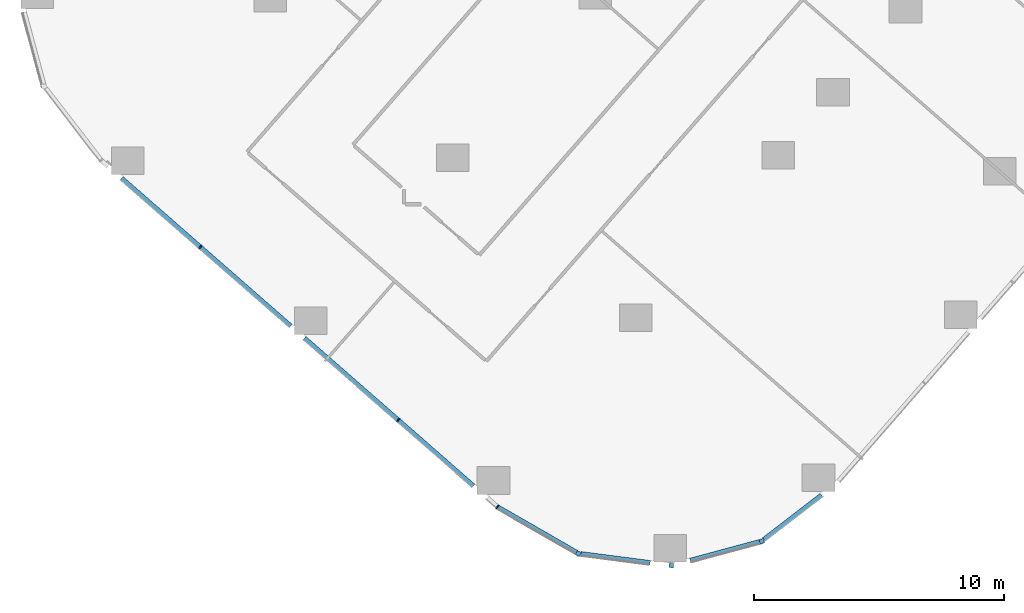
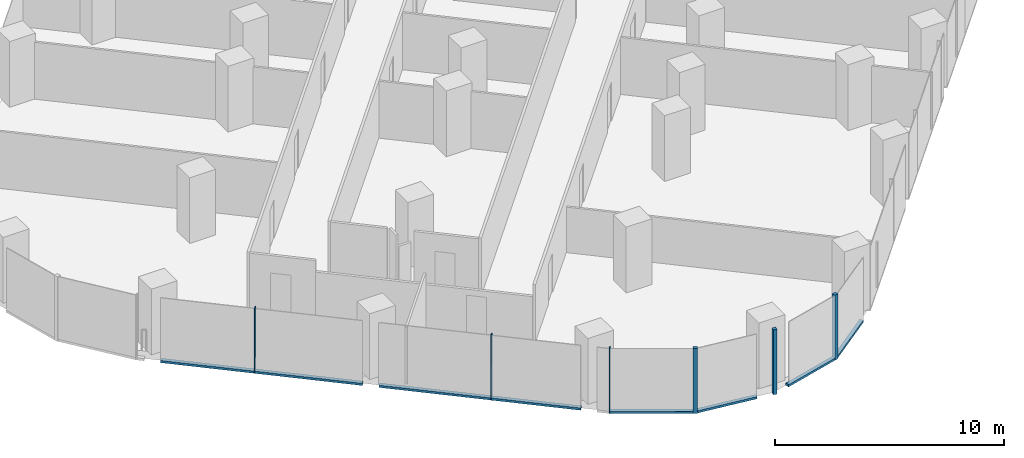
# One storey, part 2 of 38: 12 members, 5 elements without a shape of their own.
"""IFC4 building model written with IfcOpenShell, lengths in metres."""

import ifcopenshell
import ifcopenshell.guid

model = None  # the IFC model being written
_history = None  # IfcOwnerHistory: only IFC2X3 demands one
_inside = {}  # id of a spatial element -> (the spatial element, [elements in it])
_under = {}  # id of a project, library or spatial element -> (it, [spatial elements below it])
_declared = {}  # id of a project -> (the project, [libraries it declares])
_typed = {}  # id of a type object -> (the type object, [elements of that type])
_made_of = {}  # id of a material, layer set ... -> (it, [elements and type objects made of it])


def new_model(schema):
    """Start an empty IFC model of exactly this schema.

    Asked for "IFC4X3", IfcOpenShell would pick the latest addendum, in which some entities
    have other attributes; the version numbers below select the first issue.
    IFC2X3 requires an IfcOwnerHistory on every rooted entity: one is made here for all.
    """
    global model, _history
    if schema == "IFC4X3":
        model = ifcopenshell.file(schema_version=(4, 3, 0, 0))
    else:
        model = ifcopenshell.file(schema=schema)
    _inside.clear()
    _under.clear()
    _declared.clear()
    _typed.clear()
    _made_of.clear()
    _history = None
    if model.schema == "IFC2X3":
        org = make("IfcOrganization", Name="unknown")
        user = make(
            "IfcPersonAndOrganization",
            ThePerson=make("IfcPerson", FamilyName="unknown"),
            TheOrganization=org,
        )
        app = make(
            "IfcApplication",
            ApplicationDeveloper=org,
            Version="unknown",
            ApplicationFullName="unknown",
            ApplicationIdentifier="unknown",
        )
        _history = make(
            "IfcOwnerHistory",
            OwningUser=user,
            OwningApplication=app,
            ChangeAction="ADDED",
            CreationDate=0,
        )
    return model


def make(cls, **values):
    """One entity of the class cls with the attributes given. An attribute that is None is left unset."""
    return model.create_entity(
        cls, **{name: value for name, value in values.items() if value is not None}
    )


def rooted(cls, **values):
    """An entity with a GlobalId (a new one), such as an element, a storey or a relation."""
    return make(cls, GlobalId=ifcopenshell.guid.new(), OwnerHistory=_history, **values)


def si_unit(unit_type, name, prefix=None):
    """IfcSIUnit, for example si_unit("LENGTHUNIT", "METRE", prefix="MILLI")."""
    return make("IfcSIUnit", UnitType=unit_type, Prefix=prefix, Name=name)


def assignment(units):
    """IfcUnitAssignment: the units of a project."""
    return None if units is None else make("IfcUnitAssignment", Units=units)


def point(xyz):
    """IfcCartesianPoint."""
    return None if xyz is None else make("IfcCartesianPoint", Coordinates=xyz)


def direction(xyz):
    """IfcDirection."""
    return None if xyz is None else make("IfcDirection", DirectionRatios=xyz)


def frame(location, z_axis=None, x_axis=None):
    """IfcAxis2Placement3D, a coordinate frame: its origin and axes. An axis left out is left unset."""
    return make(
        "IfcAxis2Placement3D",
        Location=point(location),
        Axis=direction(z_axis),
        RefDirection=direction(x_axis),
    )


def frame_2d(location, x_axis=None):
    """IfcAxis2Placement2D, a coordinate frame in the plane: its origin and x axis."""
    return make(
        "IfcAxis2Placement2D", Location=point(location), RefDirection=direction(x_axis)
    )


def origin():
    """The frame at (0, 0, 0) with its axes left unset."""
    return frame((0.0, 0.0, 0.0))


def origin_2d():
    """The frame at (0, 0) in the plane with its x axis left unset."""
    return frame_2d((0.0, 0.0))


def place(relative_to, where):
    """IfcLocalPlacement: puts the frame where relative to a parent placement (None: the world)."""
    return make(
        "IfcLocalPlacement", PlacementRelTo=relative_to, RelativePlacement=where
    )


def context(
    kind, dimensions, precision=None, world=None, true_north=None, identifier=None
):
    """IfcGeometricRepresentationContext, for example the 3D "Model" context."""
    return make(
        "IfcGeometricRepresentationContext",
        ContextIdentifier=identifier,
        ContextType=kind,
        CoordinateSpaceDimension=dimensions,
        Precision=precision,
        WorldCoordinateSystem=world,
        TrueNorth=true_north,
    )


def subcontext(parent, identifier, kind, view, scale=None):
    """IfcGeometricRepresentationSubContext, for example "Body" below "Model"."""
    return make(
        "IfcGeometricRepresentationSubContext",
        ContextIdentifier=identifier,
        ContextType=kind,
        ParentContext=parent,
        TargetScale=scale,
        TargetView=view,
    )


def project(units=None, contexts=None):
    """IfcProject with its units and contexts."""
    return rooted(
        "IfcProject",
        Name="project",
        RepresentationContexts=contexts,
        UnitsInContext=assignment(units),
    )


def spatial(cls, under=None, at=None, **own):
    """A site, building, storey or space (cls), placed at a placement, below another one or the project."""
    s = rooted(cls, ObjectPlacement=at, **own)
    if under is not None:
        _under.setdefault(under.id(), (under, []))[1].append(s)
    return s


def profile(cls, at=None, kind="AREA", **sizes):
    """A parametric profile (cls). Its sizes go by their IFC names, for example OverallWidth=200.0."""
    return make(cls, ProfileType=kind, Position=at, **sizes)


def rectangle(**sizes):
    """IfcRectangleProfileDef."""
    return profile("IfcRectangleProfileDef", **sizes)


def extrude(swept, where, along, depth):
    """IfcExtrudedAreaSolid: the profile swept, set in the frame where, extruded along a direction by depth."""
    return make(
        "IfcExtrudedAreaSolid",
        SweptArea=swept,
        Position=where,
        ExtrudedDirection=direction(along),
        Depth=depth,
    )


def shape(context_of_items, identifier, shape_type, items):
    """IfcShapeRepresentation: the items that make up one representation, for example the "Body"."""
    return make(
        "IfcShapeRepresentation",
        ContextOfItems=context_of_items,
        RepresentationIdentifier=identifier,
        RepresentationType=shape_type,
        Items=items,
    )


def material(Name=None, Category=None):
    """IfcMaterial."""
    return make("IfcMaterial", Name=Name, Category=Category)


def material_profile(
    of_material, cross_section, Name=None, Category=None, Priority=None
):
    """IfcMaterialProfile: a cross section and its material."""
    return make(
        "IfcMaterialProfile",
        Name=Name,
        Material=of_material,
        Profile=cross_section,
        Priority=Priority,
        Category=Category,
    )


def profile_set(profiles, Name=None, composite=None):
    """IfcMaterialProfileSet."""
    return make(
        "IfcMaterialProfileSet",
        Name=Name,
        MaterialProfiles=profiles,
        CompositeProfile=composite,
    )


def made_of(thing, what):
    """Note that an element or type object is made of a material, layer set ...; save() writes the relation."""
    if what is not None:
        _made_of.setdefault(what.id(), (what, []))[1].append(thing)
    return thing


def type_object(cls, material=None, **own):
    """A type object (cls), such as IfcWallType, which elements share."""
    return made_of(rooted(cls, **own), material)


def element(
    cls,
    number,
    at=None,
    inside=None,
    cuts=None,
    type_object=None,
    material=None,
    context=None,
    identifier="Body",
    shape_type=None,
    held_by="IfcProductDefinitionShape",
    body=None,
    shapes=None,
    **own,
):
    """One element of the class cls, such as IfcWall. Its Tag is "e" and its number.

    at: its placement. inside: the storey or other place that contains it. cuts: it is an
    opening in that element (IfcRelVoidsElement). A single representation is given by context,
    identifier, shape_type and body (its items); several are given by shapes. held_by: the class
    of the entity that holds the representations. save() writes the other relations.
    """
    e = rooted(cls, Tag="e%d" % number, ObjectPlacement=at, **own)
    if body is not None:
        shapes = [shape(context, identifier, shape_type, body)]
    if shapes is not None:
        e.Representation = make(held_by, Representations=shapes)
    if inside is not None:
        _inside.setdefault(inside.id(), (inside, []))[1].append(e)
    if cuts is not None:
        rooted(
            "IfcRelVoidsElement", RelatingBuildingElement=cuts, RelatedOpeningElement=e
        )
    if type_object is not None:
        _typed.setdefault(type_object.id(), (type_object, []))[1].append(e)
    return made_of(e, material)


def aggregate(whole, parts):
    """IfcRelAggregates: a whole, such as a stair, and the parts it consists of."""
    return rooted("IfcRelAggregates", RelatingObject=whole, RelatedObjects=parts)


def save(model, path):
    """Write the relations noted so far, then the file.

    IfcRelAggregates (storeys below a building ...), IfcRelContainedInSpatialStructure (elements
    in a storey), IfcRelDefinesByType, IfcRelAssociatesMaterial and IfcRelDeclares: one each for
    every whole, place, type object, material and project.
    """
    for whole, parts in _under.values():
        aggregate(whole, parts)
    for where, things in _inside.values():
        rooted(
            "IfcRelContainedInSpatialStructure",
            RelatedElements=things,
            RelatingStructure=where,
        )
    for kind, things in _typed.values():
        rooted("IfcRelDefinesByType", RelatedObjects=things, RelatingType=kind)
    for what, things in _made_of.values():
        rooted("IfcRelAssociatesMaterial", RelatedObjects=things, RelatingMaterial=what)
    for by, libraries in _declared.values():
        rooted("IfcRelDeclares", RelatingContext=by, RelatedDefinitions=libraries)
    model.write(path)


model = new_model("IFC4")

# Units and contexts
model_context = context("Model", 3, precision=1e-05, world=origin(), true_north=direction((0.0, 1.0)))
body_context = subcontext(model_context, "Body", "Model", "MODEL_VIEW")
ifc_project = project(units=[si_unit("LENGTHUNIT", "METRE"), si_unit("AREAUNIT", "SQUARE_METRE"), si_unit("VOLUMEUNIT", "CUBIC_METRE"), si_unit("PLANEANGLEUNIT", "RADIAN"), si_unit("MASSUNIT", "GRAM", prefix="KILO")], contexts=[model_context])

# Site, building, storey
site_placement = place(None, origin())
site = spatial("IfcSite", under=ifc_project, at=site_placement, CompositionType="ELEMENT")
building_placement = place(site_placement, origin())
building = spatial("IfcBuilding", under=site, at=building_placement, Name="Orlundy Tower", CompositionType="ELEMENT")
storey_placement = place(building_placement, frame((0.0, 0.0, 69.300048828125)))
storey = spatial("IfcBuildingStorey", under=building, at=storey_placement, Name="L16", CompositionType="ELEMENT", Elevation=69.300048828125)

# Curtain wall, member
ifc_material_1 = material(Name="Aluminium bronze anodised", Category="aluminium")
curtain_wall_type = type_object("IfcCurtainWallType", Name="CW1 wall", PredefinedType="NOTDEFINED", material=ifc_material_1)
curtain_wall_1_placement = place(storey_placement, origin())
curtain_wall_1 = element("IfcCurtainWall", 1, at=curtain_wall_1_placement, inside=storey, type_object=curtain_wall_type, Name="CW1 run 04", PredefinedType="NOTDEFINED")
ifc_material_2 = material(Name="Aluminium bronze anodised", Category="aluminium")
ifc_material_profile_1 = material_profile(ifc_material_2, rectangle(XDim=0.179931640625, YDim=0.179931640625, at=origin_2d()), Name="CW1 corner post 180x180")
ifc_profile_set_1 = profile_set([ifc_material_profile_1], Name="Aluminium bronze anodised")
member_type_1 = type_object("IfcMemberType", Name="CW1 corner post 180x180", PredefinedType="MULLION", material=ifc_profile_set_1)
member_1_placement = place(storey_placement, frame((-20.753173828125, -53.148193359375, -0.400146484375), z_axis=(0.0, 0.0, 1.0), x_axis=(0.26007990033, -0.965587098839, 0.0)))
member_1 = element("IfcMember", 2, at=member_1_placement, type_object=member_type_1, Name="CW1 mullion 15", PredefinedType="MULLION", context=body_context, shape_type="SweptSolid", body=[
    extrude(rectangle(XDim=0.179931640625, YDim=0.179931640625, at=origin_2d()), origin(), (0.0, 0.0, 1.0), 3.4501953125),
])

curtain_wall_2_placement = place(storey_placement, origin())
curtain_wall_2 = element("IfcCurtainWall", 3, at=curtain_wall_2_placement, inside=storey, type_object=curtain_wall_type, Name="CW1 run 05", PredefinedType="NOTDEFINED")
member_2_placement = place(storey_placement, frame((-24.366943359375, -54.12158203125, -0.400146484375), z_axis=(0.0, 0.0, 1.0), x_axis=(-0.128947063839, -0.991651478458, 0.0)))
member_2 = element("IfcMember", 4, at=member_2_placement, type_object=member_type_1, Name="CW1 mullion 16", PredefinedType="MULLION", context=body_context, shape_type="SweptSolid", body=[
    extrude(rectangle(XDim=0.179931640625, YDim=0.179931640625, at=origin_2d()), origin(), (0.0, 0.0, 1.0), 3.4501953125),
])

curtain_wall_3_placement = place(storey_placement, origin())
curtain_wall_3 = element("IfcCurtainWall", 5, at=curtain_wall_3_placement, inside=storey, type_object=curtain_wall_type, Name="CW1 run 06", PredefinedType="NOTDEFINED")
member_3_placement = place(storey_placement, frame((-28.078369140625, -53.638916015625, -0.400146484375), z_axis=(0.0, 0.0, 1.0), x_axis=(-0.498780254844, -0.866728479616, 0.0)))
member_3 = element("IfcMember", 6, at=member_3_placement, type_object=member_type_1, Name="CW1 mullion 17", PredefinedType="MULLION", context=body_context, shape_type="SweptSolid", body=[
    extrude(rectangle(XDim=0.179931640625, YDim=0.179931640625, at=origin_2d()), origin(), (0.0, 0.0, 1.0), 3.4501953125),
])

# Curtain wall, members
curtain_wall_4_placement = place(storey_placement, origin())
curtain_wall_4 = element("IfcCurtainWall", 7, at=curtain_wall_4_placement, inside=storey, type_object=curtain_wall_type, Name="CW1 run 07", PredefinedType="NOTDEFINED")
ifc_material_3 = material(Name="Aluminium bronze anodised", Category="aluminium")
ifc_material_profile_2 = material_profile(ifc_material_3, rectangle(XDim=0.179931640625, YDim=0.050048828125, at=origin_2d()), Name="CW1 mullion 50x180")
ifc_profile_set_2 = profile_set([ifc_material_profile_2], Name="Aluminium bronze anodised")
member_type_2 = type_object("IfcMemberType", Name="CW1 mullion 50x180", PredefinedType="MULLION", material=ifc_profile_set_2)
member_4_placement = place(storey_placement, frame((-31.314453125, -51.776611328125, -0.400146484375), z_axis=(0.0, 0.0, 1.0), x_axis=(-0.581319316021, -0.813675520598, 0.0)))
member_4 = element("IfcMember", 8, at=member_4_placement, type_object=member_type_2, Name="CW1 mullion 18", PredefinedType="MULLION", context=body_context, shape_type="SweptSolid", body=[
    extrude(rectangle(XDim=0.179931640625, YDim=0.050048828125, at=origin_2d()), origin(), (0.0, 0.0, 1.0), 3.4501953125),
])
member_5_placement = place(storey_placement, frame((-35.273193359375, -48.31494140625, -0.400146484375), z_axis=(0.0, 0.0, 1.0), x_axis=(-0.658261834143, -0.752789052597, 0.0)))
member_5 = element("IfcMember", 9, at=member_5_placement, type_object=member_type_2, Name="CW1 mullion 19", PredefinedType="MULLION", context=body_context, shape_type="SweptSolid", body=[
    extrude(rectangle(XDim=0.179931640625, YDim=0.050048828125, at=origin_2d()), origin(), (0.0, 0.0, 1.0), 3.4501953125),
])
member_6_placement = place(storey_placement, frame((-43.17724609375, -41.403564453125, -0.400146484375), z_axis=(0.0, 0.0, 1.0), x_axis=(-0.658261834143, -0.752789052597, 0.0)))
member_6 = element("IfcMember", 10, at=member_6_placement, type_object=member_type_2, Name="CW1 mullion 21", PredefinedType="MULLION", context=body_context, shape_type="SweptSolid", body=[
    extrude(rectangle(XDim=0.179931640625, YDim=0.050048828125, at=origin_2d()), origin(), (0.0, 0.0, 1.0), 3.4501953125),
])

# Curtain wall, member
curtain_wall_5_placement = place(storey_placement, origin())
curtain_wall_5 = element("IfcCurtainWall", 11, at=curtain_wall_5_placement, inside=storey, type_object=curtain_wall_type, Name="CW1 run 03", PredefinedType="NOTDEFINED")
ifc_material_4 = material(Name="Aluminium bronze anodised", Category="aluminium")
ifc_material_profile_3 = material_profile(ifc_material_4, rectangle(XDim=0.179931640625, YDim=0.1201171875, at=origin_2d()), Name="CW1 transom 180x120")
ifc_profile_set_3 = profile_set([ifc_material_profile_3], Name="Aluminium bronze anodised")
member_type_3 = type_object("IfcMemberType", Name="CW1 transom 180x120", PredefinedType="USERDEFINED", material=ifc_profile_set_3)
member_7_placement = place(storey_placement, frame((-18.36279296875, -51.30810546875, -0.340087890625), z_axis=(-0.792400091658, -0.610001716998, 0.0), x_axis=(0.610001716998, -0.792400091658, 0.0)))
member_7 = element("IfcMember", 12, at=member_7_placement, type_object=member_type_3, Name="CW1 transom", ObjectType="TRANSOM", PredefinedType="USERDEFINED", context=body_context, shape_type="SweptSolid", body=[
    extrude(rectangle(XDim=0.179931640625, YDim=0.1201171875, at=origin_2d()), origin(), (0.0, 0.0, 1.0), 2.919189453125),
])
aggregate(curtain_wall_5, [member_7])

# Member
member_8_placement = place(storey_placement, frame((-20.840087890625, -53.171630859375, -0.340087890625), z_axis=(-0.965592771563, -0.260058838546, 0.0), x_axis=(0.260058838546, -0.965592771563, 0.0)))
member_8 = element("IfcMember", 13, at=member_8_placement, type_object=member_type_3, Name="CW1 transom", ObjectType="TRANSOM", PredefinedType="USERDEFINED", context=body_context, shape_type="SweptSolid", body=[
    extrude(rectangle(XDim=0.179931640625, YDim=0.1201171875, at=origin_2d()), origin(), (0.0, 0.0, 1.0), 2.871826171875),
])

aggregate(curtain_wall_1, [member_1, member_8])

member_9_placement = place(storey_placement, frame((-25.212890625, -54.011474609375, -0.340087890625), z_axis=(-0.99165930578, 0.128886854486, 0.0), x_axis=(-0.128886854486, -0.99165930578, 0.0)))
member_9 = element("IfcMember", 14, at=member_9_placement, type_object=member_type_3, Name="CW1 transom", ObjectType="TRANSOM", PredefinedType="USERDEFINED", context=body_context, shape_type="SweptSolid", body=[
    extrude(rectangle(XDim=0.179931640625, YDim=0.1201171875, at=origin_2d()), origin(), (0.0, 0.0, 1.0), 2.7919921875),
])

aggregate(curtain_wall_2, [member_2, member_9])

member_10_placement = place(storey_placement, frame((-28.15625, -53.593994140625, -0.340087890625), z_axis=(-0.866732056117, 0.498774039921, 0.0), x_axis=(-0.498774039921, -0.866732056117, 0.0)))
member_10 = element("IfcMember", 15, at=member_10_placement, type_object=member_type_3, Name="CW1 transom", ObjectType="TRANSOM", PredefinedType="USERDEFINED", context=body_context, shape_type="SweptSolid", body=[
    extrude(rectangle(XDim=0.179931640625, YDim=0.1201171875, at=origin_2d()), origin(), (0.0, 0.0, 1.0), 3.61865234375),
])

aggregate(curtain_wall_3, [member_3, member_10])

member_11_placement = place(storey_placement, frame((-32.26904296875, -50.94189453125, -0.340087890625), z_axis=(-0.752795937468, 0.658253960513, 0.0), x_axis=(-0.658253960513, -0.752795937468, 0.0)))
member_11 = element("IfcMember", 16, at=member_11_placement, type_object=member_type_3, Name="CW1 transom", ObjectType="TRANSOM", PredefinedType="USERDEFINED", context=body_context, shape_type="SweptSolid", body=[
    extrude(rectangle(XDim=0.179931640625, YDim=0.1201171875, at=origin_2d()), origin(), (0.0, 0.0, 1.0), 8.9658203125),
])

member_12_placement = place(storey_placement, frame((-39.571044921875, -44.556884765625, -0.340087890625), z_axis=(-0.752784138466, 0.658267453908, 0.0), x_axis=(-0.658267453908, -0.752784138466, 0.0)))
member_12 = element("IfcMember", 17, at=member_12_placement, type_object=member_type_3, Name="CW1 transom", ObjectType="TRANSOM", PredefinedType="USERDEFINED", context=body_context, shape_type="SweptSolid", body=[
    extrude(rectangle(XDim=0.179931640625, YDim=0.1201171875, at=origin_2d()), origin(), (0.0, 0.0, 1.0), 8.9658203125),
])

aggregate(curtain_wall_4, [member_4, member_5, member_6, member_11, member_12])

save(model, "model.ifc")
